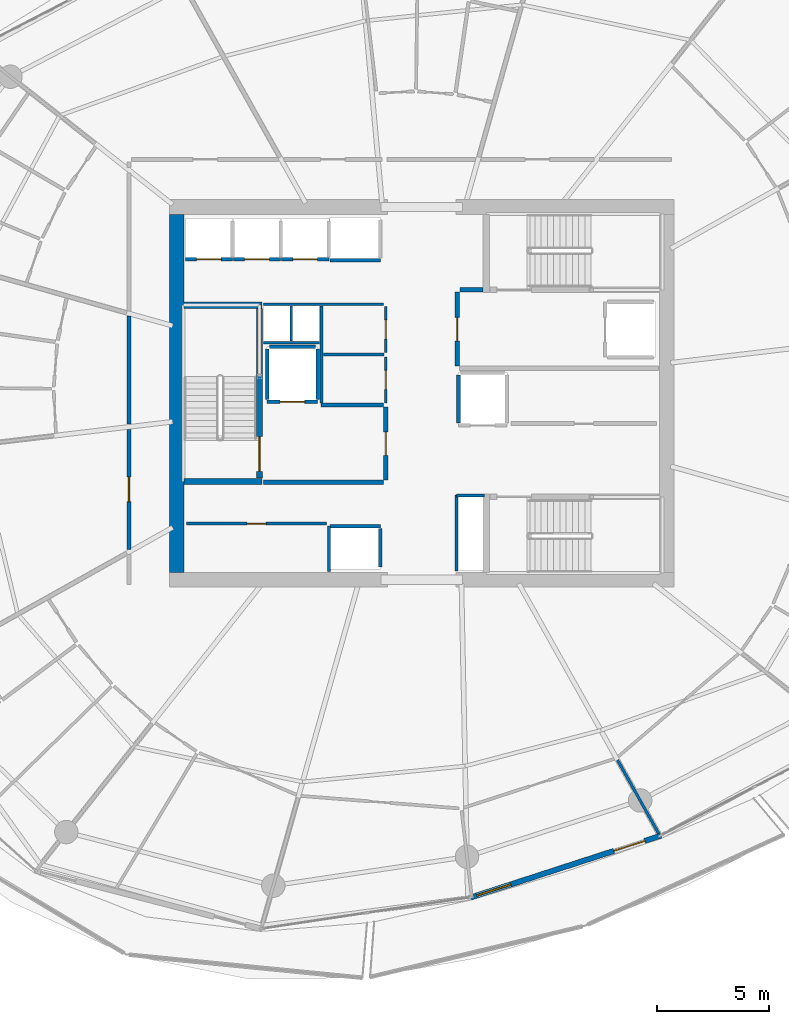
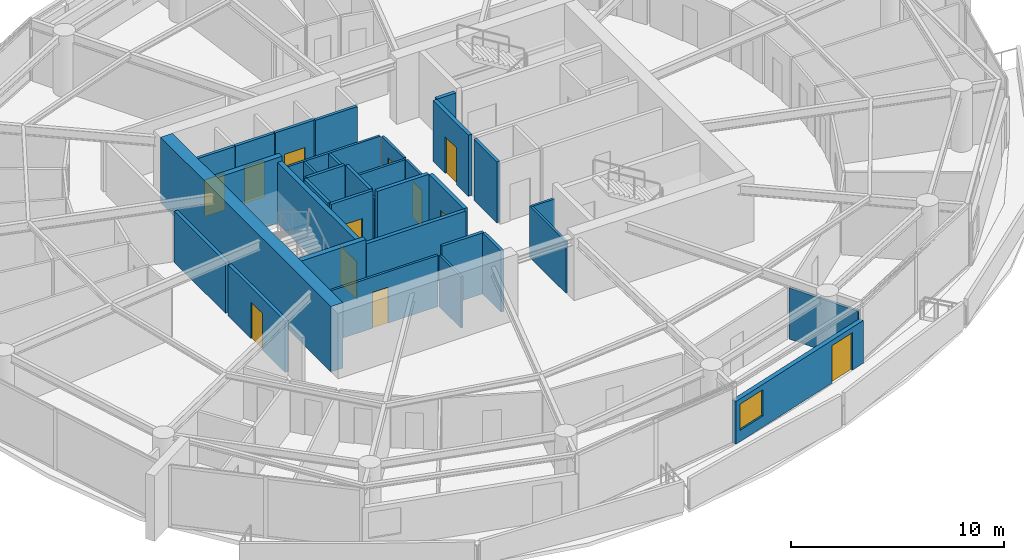
# One storey, part 11 of 19: 35 walls, 12 doors, 1 window, 13 openings.
"""IFC4 building model written with IfcOpenShell, lengths in metres."""

import ifcopenshell
import ifcopenshell.guid

model = None  # the IFC model being written
_history = None  # IfcOwnerHistory: only IFC2X3 demands one
_inside = {}  # id of a spatial element -> (the spatial element, [elements in it])
_under = {}  # id of a project, library or spatial element -> (it, [spatial elements below it])
_declared = {}  # id of a project -> (the project, [libraries it declares])
_typed = {}  # id of a type object -> (the type object, [elements of that type])
_made_of = {}  # id of a material, layer set ... -> (it, [elements and type objects made of it])


def new_model(schema):
    """Start an empty IFC model of exactly this schema.

    Asked for "IFC4X3", IfcOpenShell would pick the latest addendum, in which some entities
    have other attributes; the version numbers below select the first issue.
    IFC2X3 requires an IfcOwnerHistory on every rooted entity: one is made here for all.
    """
    global model, _history
    if schema == "IFC4X3":
        model = ifcopenshell.file(schema_version=(4, 3, 0, 0))
    else:
        model = ifcopenshell.file(schema=schema)
    _inside.clear()
    _under.clear()
    _declared.clear()
    _typed.clear()
    _made_of.clear()
    _history = None
    if model.schema == "IFC2X3":
        org = make("IfcOrganization", Name="unknown")
        user = make(
            "IfcPersonAndOrganization",
            ThePerson=make("IfcPerson", FamilyName="unknown"),
            TheOrganization=org,
        )
        app = make(
            "IfcApplication",
            ApplicationDeveloper=org,
            Version="unknown",
            ApplicationFullName="unknown",
            ApplicationIdentifier="unknown",
        )
        _history = make(
            "IfcOwnerHistory",
            OwningUser=user,
            OwningApplication=app,
            ChangeAction="ADDED",
            CreationDate=0,
        )
    return model


def make(cls, **values):
    """One entity of the class cls with the attributes given. An attribute that is None is left unset."""
    return model.create_entity(
        cls, **{name: value for name, value in values.items() if value is not None}
    )


def rooted(cls, **values):
    """An entity with a GlobalId (a new one), such as an element, a storey or a relation."""
    return make(cls, GlobalId=ifcopenshell.guid.new(), OwnerHistory=_history, **values)


def si_unit(unit_type, name, prefix=None):
    """IfcSIUnit, for example si_unit("LENGTHUNIT", "METRE", prefix="MILLI")."""
    return make("IfcSIUnit", UnitType=unit_type, Prefix=prefix, Name=name)


def assignment(units):
    """IfcUnitAssignment: the units of a project."""
    return None if units is None else make("IfcUnitAssignment", Units=units)


def point(xyz):
    """IfcCartesianPoint."""
    return None if xyz is None else make("IfcCartesianPoint", Coordinates=xyz)


def direction(xyz):
    """IfcDirection."""
    return None if xyz is None else make("IfcDirection", DirectionRatios=xyz)


def frame(location, z_axis=None, x_axis=None):
    """IfcAxis2Placement3D, a coordinate frame: its origin and axes. An axis left out is left unset."""
    return make(
        "IfcAxis2Placement3D",
        Location=point(location),
        Axis=direction(z_axis),
        RefDirection=direction(x_axis),
    )


def frame_2d(location, x_axis=None):
    """IfcAxis2Placement2D, a coordinate frame in the plane: its origin and x axis."""
    return make(
        "IfcAxis2Placement2D", Location=point(location), RefDirection=direction(x_axis)
    )


def origin():
    """The frame at (0, 0, 0) with its axes left unset."""
    return frame((0.0, 0.0, 0.0))


def place(relative_to, where):
    """IfcLocalPlacement: puts the frame where relative to a parent placement (None: the world)."""
    return make(
        "IfcLocalPlacement", PlacementRelTo=relative_to, RelativePlacement=where
    )


def context(
    kind, dimensions, precision=None, world=None, true_north=None, identifier=None
):
    """IfcGeometricRepresentationContext, for example the 3D "Model" context."""
    return make(
        "IfcGeometricRepresentationContext",
        ContextIdentifier=identifier,
        ContextType=kind,
        CoordinateSpaceDimension=dimensions,
        Precision=precision,
        WorldCoordinateSystem=world,
        TrueNorth=true_north,
    )


def subcontext(parent, identifier, kind, view, scale=None):
    """IfcGeometricRepresentationSubContext, for example "Body" below "Model"."""
    return make(
        "IfcGeometricRepresentationSubContext",
        ContextIdentifier=identifier,
        ContextType=kind,
        ParentContext=parent,
        TargetScale=scale,
        TargetView=view,
    )


def project(units=None, contexts=None):
    """IfcProject with its units and contexts."""
    return rooted(
        "IfcProject",
        Name="project",
        RepresentationContexts=contexts,
        UnitsInContext=assignment(units),
    )


def spatial(cls, under=None, at=None, **own):
    """A site, building, storey or space (cls), placed at a placement, below another one or the project."""
    s = rooted(cls, ObjectPlacement=at, **own)
    if under is not None:
        _under.setdefault(under.id(), (under, []))[1].append(s)
    return s


def profile(cls, at=None, kind="AREA", **sizes):
    """A parametric profile (cls). Its sizes go by their IFC names, for example OverallWidth=200.0."""
    return make(cls, ProfileType=kind, Position=at, **sizes)


def rectangle(**sizes):
    """IfcRectangleProfileDef."""
    return profile("IfcRectangleProfileDef", **sizes)


def extrude(swept, where, along, depth):
    """IfcExtrudedAreaSolid: the profile swept, set in the frame where, extruded along a direction by depth."""
    return make(
        "IfcExtrudedAreaSolid",
        SweptArea=swept,
        Position=where,
        ExtrudedDirection=direction(along),
        Depth=depth,
    )


def shape(context_of_items, identifier, shape_type, items):
    """IfcShapeRepresentation: the items that make up one representation, for example the "Body"."""
    return make(
        "IfcShapeRepresentation",
        ContextOfItems=context_of_items,
        RepresentationIdentifier=identifier,
        RepresentationType=shape_type,
        Items=items,
    )


def material(Name=None, Category=None):
    """IfcMaterial."""
    return make("IfcMaterial", Name=Name, Category=Category)


def layer(
    of_material, thickness, ventilated=None, Name=None, Category=None, Priority=None
):
    """IfcMaterialLayer: one layer of a wall or slab, of a material (None: an air gap)."""
    return make(
        "IfcMaterialLayer",
        Material=of_material,
        LayerThickness=thickness,
        IsVentilated=ventilated,
        Name=Name,
        Category=Category,
        Priority=Priority,
    )


def layer_set(layers, Name=None):
    """IfcMaterialLayerSet."""
    return make("IfcMaterialLayerSet", MaterialLayers=layers, LayerSetName=Name)


def made_of(thing, what):
    """Note that an element or type object is made of a material, layer set ...; save() writes the relation."""
    if what is not None:
        _made_of.setdefault(what.id(), (what, []))[1].append(thing)
    return thing


def type_object(cls, material=None, **own):
    """A type object (cls), such as IfcWallType, which elements share."""
    return made_of(rooted(cls, **own), material)


def element(
    cls,
    number,
    at=None,
    inside=None,
    cuts=None,
    type_object=None,
    material=None,
    context=None,
    identifier="Body",
    shape_type=None,
    held_by="IfcProductDefinitionShape",
    body=None,
    shapes=None,
    **own,
):
    """One element of the class cls, such as IfcWall. Its Tag is "e" and its number.

    at: its placement. inside: the storey or other place that contains it. cuts: it is an
    opening in that element (IfcRelVoidsElement). A single representation is given by context,
    identifier, shape_type and body (its items); several are given by shapes. held_by: the class
    of the entity that holds the representations. save() writes the other relations.
    """
    e = rooted(cls, Tag="e%d" % number, ObjectPlacement=at, **own)
    if body is not None:
        shapes = [shape(context, identifier, shape_type, body)]
    if shapes is not None:
        e.Representation = make(held_by, Representations=shapes)
    if inside is not None:
        _inside.setdefault(inside.id(), (inside, []))[1].append(e)
    if cuts is not None:
        rooted(
            "IfcRelVoidsElement", RelatingBuildingElement=cuts, RelatedOpeningElement=e
        )
    if type_object is not None:
        _typed.setdefault(type_object.id(), (type_object, []))[1].append(e)
    return made_of(e, material)


def fill(opening, filler):
    """IfcRelFillsElement: the door or window that sits in an opening."""
    return rooted(
        "IfcRelFillsElement",
        RelatingOpeningElement=opening,
        RelatedBuildingElement=filler,
    )


def aggregate(whole, parts):
    """IfcRelAggregates: a whole, such as a stair, and the parts it consists of."""
    return rooted("IfcRelAggregates", RelatingObject=whole, RelatedObjects=parts)


def save(model, path):
    """Write the relations noted so far, then the file.

    IfcRelAggregates (storeys below a building ...), IfcRelContainedInSpatialStructure (elements
    in a storey), IfcRelDefinesByType, IfcRelAssociatesMaterial and IfcRelDeclares: one each for
    every whole, place, type object, material and project.
    """
    for whole, parts in _under.values():
        aggregate(whole, parts)
    for where, things in _inside.values():
        rooted(
            "IfcRelContainedInSpatialStructure",
            RelatedElements=things,
            RelatingStructure=where,
        )
    for kind, things in _typed.values():
        rooted("IfcRelDefinesByType", RelatedObjects=things, RelatingType=kind)
    for what, things in _made_of.values():
        rooted("IfcRelAssociatesMaterial", RelatedObjects=things, RelatingMaterial=what)
    for by, libraries in _declared.values():
        rooted("IfcRelDeclares", RelatingContext=by, RelatedDefinitions=libraries)
    model.write(path)


model = new_model("IFC4")

# Units and contexts
model_context = context("Model", 3, precision=1e-05, world=origin(), true_north=direction((0.0, 1.0)))
body_context = subcontext(model_context, "Body", "Model", "MODEL_VIEW")
ifc_project = project(units=[si_unit("LENGTHUNIT", "METRE"), si_unit("AREAUNIT", "SQUARE_METRE"), si_unit("VOLUMEUNIT", "CUBIC_METRE"), si_unit("PLANEANGLEUNIT", "RADIAN"), si_unit("MASSUNIT", "GRAM", prefix="KILO")], contexts=[model_context])

# Site, building, storey
site_placement = place(None, origin())
site = spatial("IfcSite", under=ifc_project, at=site_placement, CompositionType="ELEMENT")
building_placement = place(site_placement, origin())
building = spatial("IfcBuilding", under=site, at=building_placement, Name="Kazma Halo Residences", CompositionType="ELEMENT")
storey_placement = place(building_placement, frame((0.0, 0.0, 199.050048828125)))
storey = spatial("IfcBuildingStorey", under=building, at=storey_placement, Name="L50", CompositionType="ELEMENT", Elevation=199.050048828125)

# Walls
ifc_material_1 = material(Name="Concrete C60/75", Category="concrete")
ifc_layer_1 = layer(ifc_material_1, 0.64990234375)
ifc_layer_set_1 = layer_set([ifc_layer_1], Name="Concrete C60/75")
wall_type_1 = type_object("IfcWallType", Name="WL-CORE-650", PredefinedType="SHEAR", material=ifc_layer_set_1)
wall_1_placement = place(storey_placement, frame((37.47509765625, 34.0, 0.0), z_axis=(0.0, 0.0, 1.0), x_axis=(0.0, 1.0, 0.0)))
element("IfcWall", 1, at=wall_1_placement, inside=storey, type_object=wall_type_1, Name="L50 central core shear wall W", PredefinedType="SHEAR", context=body_context, shape_type="SweptSolid", body=[
    extrude(rectangle(XDim=16.0, YDim=0.64990234375, at=frame_2d((8.0, 0.0))), origin(), (0.0, 0.0, 1.0), 3.75),
])
ifc_layer_2 = layer(ifc_material_1, 0.280029296875)
ifc_layer_set_2 = layer_set([ifc_layer_2], Name="Concrete C60/75")
wall_type_2 = type_object("IfcWallType", Name="WL-CORE-ST-280", PredefinedType="SHEAR", material=ifc_layer_set_2)
for number, where, z_axis, x_axis, name in (
    (2, (37.800048828125, 38.06005859375, 0.0), (0.0, 0.0, 1.0), (1.0, 0.0, 0.0), "L50 stairwell bearing wall ST01-S"),
    (3, (37.800048828125, 45.93994140625, 0.0), (0.0, 0.0, 1.0), (1.0, 0.0, 0.0), "L50 stairwell bearing wall ST01-N"),
):
    element("IfcWall", number, at=place(storey_placement, frame(where, z_axis=z_axis, x_axis=x_axis)), inside=storey, type_object=wall_type_2, Name=name, PredefinedType="SHEAR", context=body_context, shape_type="SweptSolid", body=[
        extrude(rectangle(XDim=3.5, YDim=0.280029296875, at=frame_2d((1.75, 0.0))), origin(), (0.0, 0.0, 1.0), 3.75),
    ])

# Wall, opening, door
ifc_material_2 = material(Name="Acoustic Twin-Stud Gypsum")
ifc_layer_3 = layer(ifc_material_2, 0.179931640625)
ifc_layer_set_3 = layer_set([ifc_layer_3], Name="Acoustic Twin-Stud Gypsum")
wall_type_3 = type_object("IfcWallType", Name="WL-DEM-180", PredefinedType="PARTITIONING", material=ifc_layer_set_3)
wall_2_placement = place(storey_placement, frame((35.35009765625, 40.3828125, 0.0), z_axis=(0.0, 0.0, 1.0), x_axis=(0.0, -1.0, 0.0)))
wall_2 = element("IfcWall", 4, at=wall_2_placement, inside=storey, type_object=wall_type_3, Name="L50 Apartment 3 entrance corridor wall", PredefinedType="PARTITIONING", context=body_context, shape_type="SweptSolid", body=[
    extrude(rectangle(XDim=5.34716796875, YDim=0.179931640625, at=frame_2d((2.673583984375, 0.0))), origin(), (0.0, 0.0, 1.0), 2.93994140625),
])
opening_1_placement = place(wall_2_placement, frame((2.12353515625, 0.0, 0.0)))
opening_1 = element("IfcOpeningElement", 5, at=opening_1_placement, cuts=wall_2, Name="Opening DA-1100", PredefinedType="OPENING", context=body_context, shape_type="SweptSolid", body=[
    extrude(rectangle(XDim=1.10009765625, YDim=2.10009765625, at=frame_2d((0.550048828125, 1.050048828125))), frame((0.0, 0.099853515625, 0.0), z_axis=(0.0, -1.0, 0.0), x_axis=(1.0, 0.0, 0.0)), (0.0, 0.0, 1.0), 0.199951171875),
])
ifc_material_3 = material(Name="Acoustic Walnut Fire Leaf")
door_type_1 = type_object("IfcDoorType", Name="DR-FD60-1100", OperationType="NOTDEFINED", PredefinedType="DOOR", material=ifc_material_3)
door_1_placement = place(opening_1_placement, origin())
door_1 = element("IfcDoor", 6, at=door_1_placement, inside=storey, type_object=door_type_1, Name="L50 Apartment 3 entrance fire door", OperationType="SINGLE_SWING_RIGHT", OverallHeight=2.10009765625, OverallWidth=1.10009765625, PredefinedType="DOOR", context=body_context, shape_type="SweptSolid", body=[
    extrude(rectangle(XDim=1.10009765625, YDim=2.10009765625, at=frame_2d((0.550048828125, 1.050048828125))), frame((0.0, 0.02490234375, 0.0), z_axis=(0.0, -1.0, 0.0), x_axis=(1.0, 0.0, 0.0)), (0.0, 0.0, 1.0), 0.050048828125),
])
fill(opening_1, door_1)

# Wall
wall_3_placement = place(storey_placement, frame((35.35009765625, 45.44775390625, 0.0), z_axis=(0.0, 0.0, 1.0), x_axis=(0.0, -1.0, 0.0)))
element("IfcWall", 7, at=wall_3_placement, inside=storey, type_object=wall_type_3, Name="L50 Apartment 3 inner wall 6", PredefinedType="PARTITIONING", context=body_context, shape_type="SweptSolid", body=[
    extrude(rectangle(XDim=4.824951171875, YDim=0.179931640625, at=frame_2d((2.41259765625, 0.0))), origin(), (0.0, 0.0, 1.0), 2.93994140625),
])

# Wall, openings, door, window
ifc_material_4 = material(Name="Insulated Pale-Metal Composite Wall")
ifc_layer_4 = layer(ifc_material_4, 0.239990234375)
ifc_layer_set_4 = layer_set([ifc_layer_4], Name="Insulated Pale-Metal Composite Wall")
wall_type_4 = type_object("IfcWallType", Name="WL-EXT-HOST-240", PredefinedType="SOLIDWALL", material=ifc_layer_set_4)
wall_4_placement = place(storey_placement, frame((50.61572265625, 19.481201171875, 0.0), z_axis=(0.0, 0.0, 1.0), x_axis=(0.951058543936, 0.309010753869, 0.0)))
wall_4 = element("IfcWall", 8, at=wall_4_placement, inside=storey, type_object=wall_type_4, Name="L50 exterior terrace-access wall B12", PredefinedType="SOLIDWALL", context=body_context, shape_type="SweptSolid", body=[
    extrude(rectangle(XDim=8.942138671875, YDim=0.239990234375, at=frame_2d((4.47119140625, 0.0))), origin(), (0.0, 0.0, 1.0), 2.449951171875),
])
opening_2_placement = place(wall_4_placement, frame((6.721923828125, 0.0, 0.0)))
opening_2 = element("IfcOpeningElement", 9, at=opening_2_placement, cuts=wall_4, Name="Opening DTR-1600", PredefinedType="OPENING", context=body_context, shape_type="SweptSolid", body=[
    extrude(rectangle(XDim=1.449951171875, YDim=2.14990234375, at=frame_2d((0.72509765625, 1.074951171875))), frame((0.0, 0.1298828125, 0.0), z_axis=(0.0, -1.0, 0.0), x_axis=(1.0, 0.0, 0.0)), (0.0, 0.0, 1.0), 0.260009765625),
])
opening_3_placement = place(wall_4_placement, frame((0.280029296875, 0.0, 0.64990234375)))
opening_3 = element("IfcOpeningElement", 10, at=opening_3_placement, cuts=wall_4, Name="Opening W-1800", PredefinedType="OPENING", context=body_context, shape_type="SweptSolid", body=[
    extrude(rectangle(XDim=1.60009765625, YDim=1.5, at=frame_2d((0.800048828125, 0.75))), frame((0.0, 0.1298828125, 0.0), z_axis=(0.0, -1.0, 0.0), x_axis=(1.0, 0.0, 0.0)), (0.0, 0.0, 1.0), 0.260009765625),
])
ifc_material_5 = material(Name="Aluminium AW-6063 T6 Double-Glazed Terrace Door", Category="aluminium")
door_type_2 = type_object("IfcDoorType", Name="DR-EXT-TERR-1600", OperationType="NOTDEFINED", PredefinedType="DOOR", material=ifc_material_5)
door_2_placement = place(opening_2_placement, origin())
door_2 = element("IfcDoor", 11, at=door_2_placement, inside=storey, type_object=door_type_2, Name="L50 B12 balcony terrace door", OperationType="DOUBLE_DOOR_SLIDING", OverallHeight=2.14990234375, OverallWidth=1.449951171875, PredefinedType="DOOR", context=body_context, shape_type="SweptSolid", body=[
    extrude(rectangle(XDim=1.449951171875, YDim=2.14990234375, at=frame_2d((0.72509765625, 1.074951171875))), frame((0.0, 0.02490234375, 0.0), z_axis=(0.0, -1.0, 0.0), x_axis=(1.0, 0.0, 0.0)), (0.0, 0.0, 1.0), 0.050048828125),
])
fill(opening_2, door_2)
ifc_material_6 = material(Name="Clear Triple-Silver Low-E Glass in Aluminium AW-6063 T6 Frame", Category="aluminium")
window_type = type_object("IfcWindowType", Name="WIN-RES-1800", PartitioningType="DOUBLE_PANEL_VERTICAL", PredefinedType="WINDOW", material=ifc_material_6)
window_placement = place(opening_3_placement, origin())
window = element("IfcWindow", 12, at=window_placement, inside=storey, type_object=window_type, Name="L50 B12 apartment window", OverallHeight=1.5, OverallWidth=1.60009765625, PartitioningType="SINGLE_PANEL", PredefinedType="WINDOW", context=body_context, shape_type="SweptSolid", body=[
    extrude(rectangle(XDim=1.60009765625, YDim=1.5, at=frame_2d((0.800048828125, 0.75))), frame((0.0, 0.030029296875, 0.0), z_axis=(0.0, -1.0, 0.0), x_axis=(1.0, 0.0, 0.0)), (0.0, 0.0, 1.0), 0.06005859375),
])
fill(opening_3, window)

# Wall, opening, door
ifc_material_7 = material(Name="Fire-Rated Blockwork Masonry", Category="masonry")
ifc_layer_5 = layer(ifc_material_7, 0.199951171875)
ifc_layer_set_5 = layer_set([ifc_layer_5], Name="Fire-Rated Blockwork Masonry")
wall_type_5 = type_object("IfcWallType", Name="WL-FLB-200", PredefinedType="PARTITIONING", material=ifc_layer_set_5)
wall_5_placement = place(storey_placement, frame((39.97509765625, 47.9951171875, 0.0), z_axis=(0.0, 0.0, 1.0), x_axis=(-1.0, 0.0, 0.0)))
wall_5 = element("IfcWall", 13, at=wall_5_placement, inside=storey, type_object=wall_type_5, Name="L50 lift shaft PM-01 front wall", PredefinedType="PARTITIONING", context=body_context, shape_type="SweptSolid", body=[
    extrude(rectangle(XDim=2.110107421875, YDim=0.159912109375, at=frame_2d((1.05517578125, 0.0))), origin(), (0.0, 0.0, 1.0), 3.5),
])
opening_4_placement = place(wall_5_placement, frame((0.5048828125, 0.0, 0.0)))
opening_4 = element("IfcOpeningElement", 14, at=opening_4_placement, cuts=wall_5, Name="Opening LD-PM-01", PredefinedType="OPENING", context=body_context, shape_type="SweptSolid", body=[
    extrude(rectangle(XDim=1.10009765625, YDim=2.10009765625, at=frame_2d((0.550048828125, 1.050048828125))), frame((0.0, 0.08984375, 0.0), z_axis=(0.0, -1.0, 0.0), x_axis=(1.0, 0.0, 0.0)), (0.0, 0.0, 1.0), 0.179931640625),
])
ifc_material_8 = material(Name="Stainless Steel Fire-Rated", Category="steel")
door_type_3 = type_object("IfcDoorType", Name="DR-LIFT-SLD-1100", OperationType="DOUBLE_DOOR_SLIDING", PredefinedType="DOOR", material=ifc_material_8)
door_3_placement = place(opening_4_placement, origin())
door_3 = element("IfcDoor", 15, at=door_3_placement, inside=storey, type_object=door_type_3, Name="L50 lift PM-01 sliding landing door", OperationType="DOUBLE_DOOR_SLIDING", OverallHeight=2.10009765625, OverallWidth=1.10009765625, PredefinedType="DOOR", context=body_context, shape_type="SweptSolid", body=[
    extrude(rectangle(XDim=1.10009765625, YDim=2.10009765625, at=frame_2d((0.550048828125, 1.050048828125))), frame((0.0, 0.02490234375, 0.0), z_axis=(0.0, -1.0, 0.0), x_axis=(1.0, 0.0, 0.0)), (0.0, 0.0, 1.0), 0.050048828125),
])
fill(opening_4, door_3)

wall_6_placement = place(storey_placement, frame((42.125, 47.9951171875, 0.0), z_axis=(0.0, 0.0, 1.0), x_axis=(-1.0, 0.0, 0.0)))
wall_6 = element("IfcWall", 16, at=wall_6_placement, inside=storey, type_object=wall_type_5, Name="L50 lift shaft PM-02 front wall", PredefinedType="PARTITIONING", context=body_context, shape_type="SweptSolid", body=[
    extrude(rectangle(XDim=2.110107421875, YDim=0.159912109375, at=frame_2d((1.05517578125, 0.0))), origin(), (0.0, 0.0, 1.0), 3.5),
])
opening_5_placement = place(wall_6_placement, frame((0.5048828125, 0.0, 0.0)))
opening_5 = element("IfcOpeningElement", 17, at=opening_5_placement, cuts=wall_6, Name="Opening LD-PM-02", PredefinedType="OPENING", context=body_context, shape_type="SweptSolid", body=[
    extrude(rectangle(XDim=1.10009765625, YDim=2.10009765625, at=frame_2d((0.550048828125, 1.050048828125))), frame((0.0, 0.08984375, 0.0), z_axis=(0.0, -1.0, 0.0), x_axis=(1.0, 0.0, 0.0)), (0.0, 0.0, 1.0), 0.179931640625),
])
door_4_placement = place(opening_5_placement, origin())
door_4 = element("IfcDoor", 18, at=door_4_placement, inside=storey, type_object=door_type_3, Name="L50 lift PM-02 sliding landing door", OperationType="DOUBLE_DOOR_SLIDING", OverallHeight=2.10009765625, OverallWidth=1.10009765625, PredefinedType="DOOR", context=body_context, shape_type="SweptSolid", body=[
    extrude(rectangle(XDim=1.10009765625, YDim=2.10009765625, at=frame_2d((0.550048828125, 1.050048828125))), frame((0.0, 0.02490234375, 0.0), z_axis=(0.0, -1.0, 0.0), x_axis=(1.0, 0.0, 0.0)), (0.0, 0.0, 1.0), 0.050048828125),
])
fill(opening_5, door_4)

wall_7_placement = place(storey_placement, frame((44.27490234375, 47.9951171875, 0.0), z_axis=(0.0, 0.0, 1.0), x_axis=(-1.0, 0.0, 0.0)))
wall_7 = element("IfcWall", 19, at=wall_7_placement, inside=storey, type_object=wall_type_5, Name="L50 lift shaft PM-03 front wall", PredefinedType="PARTITIONING", context=body_context, shape_type="SweptSolid", body=[
    extrude(rectangle(XDim=2.10986328125, YDim=0.159912109375, at=frame_2d((1.054931640625, 0.0))), origin(), (0.0, 0.0, 1.0), 3.5),
])
opening_6_placement = place(wall_7_placement, frame((0.5048828125, 0.0, 0.0)))
opening_6 = element("IfcOpeningElement", 20, at=opening_6_placement, cuts=wall_7, Name="Opening LD-PM-03", PredefinedType="OPENING", context=body_context, shape_type="SweptSolid", body=[
    extrude(rectangle(XDim=1.10009765625, YDim=2.10009765625, at=frame_2d((0.550048828125, 1.050048828125))), frame((0.0, 0.08984375, 0.0), z_axis=(0.0, -1.0, 0.0), x_axis=(1.0, 0.0, 0.0)), (0.0, 0.0, 1.0), 0.179931640625),
])
door_5_placement = place(opening_6_placement, origin())
door_5 = element("IfcDoor", 21, at=door_5_placement, inside=storey, type_object=door_type_3, Name="L50 lift PM-03 sliding landing door", OperationType="DOUBLE_DOOR_SLIDING", OverallHeight=2.10009765625, OverallWidth=1.10009765625, PredefinedType="DOOR", context=body_context, shape_type="SweptSolid", body=[
    extrude(rectangle(XDim=1.10009765625, YDim=2.10009765625, at=frame_2d((0.550048828125, 1.050048828125))), frame((0.0, 0.02490234375, 0.0), z_axis=(0.0, -1.0, 0.0), x_axis=(1.0, 0.0, 0.0)), (0.0, 0.0, 1.0), 0.050048828125),
])
fill(opening_6, door_5)

# Walls
for number, where, z_axis, x_axis, name in (
    (22, (46.580078125, 47.945068359375, 0.0), (0.0, 0.0, 1.0), (-1.0, 0.0, 0.0), "L50 lift shaft PX-01 front wall"),
    (23, (44.320068359375, 36.054931640625, 0.0), (0.0, 0.0, 1.0), (1.0, 0.0, 0.0), "L50 lift shaft PX-02 front wall"),
):
    element("IfcWall", number, at=place(storey_placement, frame(where, z_axis=z_axis, x_axis=x_axis)), inside=storey, type_object=wall_type_5, Name=name, PredefinedType="PARTITIONING", context=body_context, shape_type="SweptSolid", body=[
        extrude(rectangle(XDim=2.260009765625, YDim=0.159912109375, at=frame_2d((1.1298828125, 0.0))), origin(), (0.0, 0.0, 1.0), 3.5),
    ])
wall_8_placement = place(storey_placement, frame((46.580078125, 34.2451171875, 0.0), z_axis=(0.0, 0.0, 1.0), x_axis=(0.0, 1.0, 0.0)))
element("IfcWall", 24, at=wall_8_placement, inside=storey, type_object=wall_type_5, Name="L50 lift shaft PX-02 side wall E", PredefinedType="PARTITIONING", context=body_context, shape_type="SweptSolid", body=[
    extrude(rectangle(XDim=1.7099609375, YDim=0.159912109375, at=frame_2d((0.85498046875, 0.0))), origin(), (0.0, 0.0, 1.0), 3.5),
])

# Wall, opening, door
wall_9_placement = place(storey_placement, frame((43.780029296875, 41.6201171875, 0.0), z_axis=(0.0, 0.0, 1.0), x_axis=(-1.0, 0.0, 0.0)))
wall_9 = element("IfcWall", 25, at=wall_9_placement, inside=storey, type_object=wall_type_5, Name="L50 lift shaft FL-01 front wall", PredefinedType="PARTITIONING", context=body_context, shape_type="SweptSolid", body=[
    extrude(rectangle(XDim=2.260009765625, YDim=0.159912109375, at=frame_2d((1.1298828125, 0.0))), origin(), (0.0, 0.0, 1.0), 3.5),
])
opening_7_placement = place(wall_9_placement, frame((0.580078125, 0.0, 0.0)))
opening_7 = element("IfcOpeningElement", 26, at=opening_7_placement, cuts=wall_9, Name="Opening LD-FL-01", PredefinedType="OPENING", context=body_context, shape_type="SweptSolid", body=[
    extrude(rectangle(XDim=1.10009765625, YDim=2.10009765625, at=frame_2d((0.550048828125, 1.050048828125))), frame((0.0, 0.08984375, 0.0), z_axis=(0.0, -1.0, 0.0), x_axis=(1.0, 0.0, 0.0)), (0.0, 0.0, 1.0), 0.179931640625),
])
door_6_placement = place(opening_7_placement, origin())
door_6 = element("IfcDoor", 27, at=door_6_placement, inside=storey, type_object=door_type_3, Name="L50 lift FL-01 sliding landing door", OperationType="DOUBLE_DOOR_SLIDING", OverallHeight=2.10009765625, OverallWidth=1.10009765625, PredefinedType="DOOR", context=body_context, shape_type="SweptSolid", body=[
    extrude(rectangle(XDim=1.10009765625, YDim=2.10009765625, at=frame_2d((0.550048828125, 1.050048828125))), frame((0.0, 0.02490234375, 0.0), z_axis=(0.0, -1.0, 0.0), x_axis=(1.0, 0.0, 0.0)), (0.0, 0.0, 1.0), 0.050048828125),
])
fill(opening_7, door_6)

# Walls
for number, where, z_axis, x_axis, name in (
    (28, (43.780029296875, 41.719970703125, 0.0), (0.0, 0.0, 1.0), (0.0, 1.0, 0.0), "L50 lift shaft FL-01 side wall E"),
    (29, (41.52001953125, 41.719970703125, 0.0), (0.0, 0.0, 1.0), (0.0, 1.0, 0.0), "L50 lift shaft FL-01 side wall W"),
):
    element("IfcWall", number, at=place(storey_placement, frame(where, z_axis=z_axis, x_axis=x_axis)), inside=storey, type_object=wall_type_5, Name=name, PredefinedType="PARTITIONING", context=body_context, shape_type="SweptSolid", body=[
        extrude(rectangle(XDim=2.260009765625, YDim=0.159912109375, at=frame_2d((1.1298828125, 0.0))), origin(), (0.0, 0.0, 1.0), 3.5),
    ])
wall_10_placement = place(storey_placement, frame((41.6201171875, 44.080078125, 0.0), z_axis=(0.0, 0.0, 1.0), x_axis=(1.0, 0.0, 0.0)))
element("IfcWall", 30, at=wall_10_placement, inside=storey, type_object=wall_type_5, Name="L50 lift shaft FL-01 side wall N", PredefinedType="PARTITIONING", context=body_context, shape_type="SweptSolid", body=[
    extrude(rectangle(XDim=2.059814453125, YDim=0.159912109375, at=frame_2d((1.02978515625, 0.0))), origin(), (0.0, 0.0, 1.0), 3.5),
])
wall_11_placement = place(storey_placement, frame((50.070068359375, 40.669921875, 0.0), z_axis=(0.0, 0.0, 1.0), x_axis=(0.0, 1.0, 0.0)))
element("IfcWall", 31, at=wall_11_placement, inside=storey, type_object=wall_type_5, Name="L50 lift shaft SV-01 side wall W", PredefinedType="PARTITIONING", context=body_context, shape_type="SweptSolid", body=[
    extrude(rectangle(XDim=2.16015625, YDim=0.159912109375, at=frame_2d((1.080078125, 0.0))), origin(), (0.0, 0.0, 1.0), 3.5),
])
wall_12_placement = place(storey_placement, frame((41.35009765625, 38.02001953125, 0.0), z_axis=(0.0, 0.0, 1.0), x_axis=(1.0, 0.0, 0.0)))
element("IfcWall", 32, at=wall_12_placement, inside=storey, type_object=wall_type_5, Name="L50 west firefighting lobby south smoke wall", PredefinedType="PARTITIONING", context=body_context, shape_type="SweptSolid", body=[
    extrude(rectangle(XDim=5.369873046875, YDim=0.199951171875, at=frame_2d((2.68505859375, 0.0))), origin(), (0.0, 0.0, 1.0), 3.5),
])
wall_13_placement = place(storey_placement, frame((43.919921875, 41.47998046875, 0.0), z_axis=(0.0, 0.0, 1.0), x_axis=(1.0, 0.0, 0.0)))
element("IfcWall", 33, at=wall_13_placement, inside=storey, type_object=wall_type_5, Name="L50 west firefighting lobby north smoke wall", PredefinedType="PARTITIONING", context=body_context, shape_type="SweptSolid", body=[
    extrude(rectangle(XDim=2.800048828125, YDim=0.199951171875, at=frame_2d((1.39990234375, 0.0))), origin(), (0.0, 0.0, 1.0), 3.5),
])

# Wall, opening, door
wall_14_placement = place(storey_placement, frame((46.820068359375, 38.1201171875, 0.0), z_axis=(0.0, 0.0, 1.0), x_axis=(0.0, 1.0, 0.0)))
wall_14 = element("IfcWall", 34, at=wall_14_placement, inside=storey, type_object=wall_type_5, Name="L50 west firefighting lobby smoke wall", PredefinedType="PARTITIONING", context=body_context, shape_type="SweptSolid", body=[
    extrude(rectangle(XDim=3.259765625, YDim=0.199951171875, at=frame_2d((1.6298828125, 0.0))), origin(), (0.0, 0.0, 1.0), 3.5),
])
opening_8_placement = place(wall_14_placement, frame((1.10498046875, 0.0, 0.0)))
opening_8 = element("IfcOpeningElement", 35, at=opening_8_placement, cuts=wall_14, Name="Opening D-FLW", PredefinedType="OPENING", context=body_context, shape_type="SweptSolid", body=[
    extrude(rectangle(XDim=1.050048828125, YDim=2.10009765625, at=frame_2d((0.52490234375, 1.050048828125))), frame((0.0, 0.10986328125, 0.0), z_axis=(0.0, -1.0, 0.0), x_axis=(1.0, 0.0, 0.0)), (0.0, 0.0, 1.0), 0.219970703125),
])
ifc_material_9 = material(Name="Fire-Rated Steel Leaf", Category="steel")
door_type_4 = type_object("IfcDoorType", Name="DR-FD90-1050", OperationType="NOTDEFINED", PredefinedType="DOOR", material=ifc_material_9)
door_7_placement = place(opening_8_placement, origin())
door_7 = element("IfcDoor", 36, at=door_7_placement, inside=storey, type_object=door_type_4, Name="L50 west firefighting lobby smoke door", OperationType="SINGLE_SWING_LEFT", OverallHeight=2.10009765625, OverallWidth=1.050048828125, PredefinedType="DOOR", context=body_context, shape_type="SweptSolid", body=[
    extrude(rectangle(XDim=1.050048828125, YDim=2.10009765625, at=frame_2d((0.52490234375, 1.050048828125))), frame((0.0, 0.02490234375, 0.0), z_axis=(0.0, -1.0, 0.0), x_axis=(1.0, 0.0, 0.0)), (0.0, 0.0, 1.0), 0.050048828125),
])
fill(opening_8, door_7)

# Wall
wall_15_placement = place(storey_placement, frame((50.139892578125, 46.6201171875, 0.0), z_axis=(0.0, 0.0, 1.0), x_axis=(1.0, 0.0, 0.0)))
element("IfcWall", 37, at=wall_15_placement, inside=storey, type_object=wall_type_5, Name="L50 east firefighting lobby north closure wall", PredefinedType="PARTITIONING", context=body_context, shape_type="SweptSolid", body=[
    extrude(rectangle(XDim=1.02001953125, YDim=0.199951171875, at=frame_2d((0.510009765625, 0.0))), origin(), (0.0, 0.0, 1.0), 3.5),
])

# Wall, opening, door
wall_16_placement = place(storey_placement, frame((50.02001953125, 43.219970703125, 0.0), z_axis=(0.0, 0.0, 1.0), x_axis=(0.0, 1.0, 0.0)))
wall_16 = element("IfcWall", 38, at=wall_16_placement, inside=storey, type_object=wall_type_5, Name="L50 east firefighting lobby smoke wall", PredefinedType="PARTITIONING", context=body_context, shape_type="SweptSolid", body=[
    extrude(rectangle(XDim=3.300048828125, YDim=0.199951171875, at=frame_2d((1.64990234375, 0.0))), origin(), (0.0, 0.0, 1.0), 3.5),
])
opening_9_placement = place(wall_16_placement, frame((1.125, 0.0, 0.0)))
opening_9 = element("IfcOpeningElement", 39, at=opening_9_placement, cuts=wall_16, Name="Opening D-FLE", PredefinedType="OPENING", context=body_context, shape_type="SweptSolid", body=[
    extrude(rectangle(XDim=1.050048828125, YDim=2.10009765625, at=frame_2d((0.52490234375, 1.050048828125))), frame((0.0, 0.10986328125, 0.0), z_axis=(0.0, -1.0, 0.0), x_axis=(1.0, 0.0, 0.0)), (0.0, 0.0, 1.0), 0.219970703125),
])
door_8_placement = place(opening_9_placement, origin())
door_8 = element("IfcDoor", 40, at=door_8_placement, inside=storey, type_object=door_type_4, Name="L50 east firefighting lobby smoke door", OperationType="SINGLE_SWING_RIGHT", OverallHeight=2.10009765625, OverallWidth=1.050048828125, PredefinedType="DOOR", context=body_context, shape_type="SweptSolid", body=[
    extrude(rectangle(XDim=1.050048828125, YDim=2.10009765625, at=frame_2d((0.52490234375, 1.050048828125))), frame((0.0, 0.02490234375, 0.0), z_axis=(0.0, -1.0, 0.0), x_axis=(1.0, 0.0, 0.0)), (0.0, 0.0, 1.0), 0.050048828125),
])
fill(opening_9, door_8)

# Wall
ifc_material_10 = material(Name="Gypsum Plasterboard Partition")
ifc_layer_6 = layer(ifc_material_10, 0.125)
ifc_layer_set_6 = layer_set([ifc_layer_6], Name="Gypsum Plasterboard Partition")
wall_type_6 = type_object("IfcWallType", Name="WL-PART-125", PredefinedType="PARTITIONING", material=ifc_layer_set_6)
wall_17_placement = place(storey_placement, frame((44.280029296875, 34.050048828125, 0.0), z_axis=(0.0, 0.0, 1.0), x_axis=(0.0, 1.0, 0.0)))
element("IfcWall", 41, at=wall_17_placement, inside=storey, type_object=wall_type_6, Name="L50 reclaimed south east wall", PredefinedType="PARTITIONING", context=body_context, shape_type="SweptSolid", body=[
    extrude(rectangle(XDim=2.030029296875, YDim=0.125, at=frame_2d((1.01513671875, 0.0))), origin(), (0.0, 0.0, 1.0), 2.93994140625),
])

# Wall, opening, door
wall_18_placement = place(storey_placement, frame((37.919921875, 36.179931640625, 0.0), z_axis=(0.0, 0.0, 1.0), x_axis=(1.0, 0.0, 0.0)))
wall_18 = element("IfcWall", 42, at=wall_18_placement, inside=storey, type_object=wall_type_6, Name="L50 reclaimed south front wall", PredefinedType="PARTITIONING", context=body_context, shape_type="SweptSolid", body=[
    extrude(rectangle(XDim=6.260009765625, YDim=0.125, at=frame_2d((3.1298828125, 0.0))), origin(), (0.0, 0.0, 1.0), 2.93994140625),
])
opening_10_placement = place(wall_18_placement, frame((2.705078125, 0.0, 0.0)))
opening_10 = element("IfcOpeningElement", 43, at=opening_10_placement, cuts=wall_18, Name="Opening DS-850", PredefinedType="OPENING", context=body_context, shape_type="SweptSolid", body=[
    extrude(rectangle(XDim=0.85009765625, YDim=2.06005859375, at=frame_2d((0.425048828125, 1.030029296875))), frame((0.0, 0.072509765625, 0.0), z_axis=(0.0, -1.0, 0.0), x_axis=(1.0, 0.0, 0.0)), (0.0, 0.0, 1.0), 0.14501953125),
])
ifc_material_11 = material(Name="Painted Steel Access Leaf", Category="steel")
door_type_5 = type_object("IfcDoorType", Name="DR-SVC-850", OperationType="NOTDEFINED", PredefinedType="DOOR", material=ifc_material_11)
door_9_placement = place(opening_10_placement, origin())
door_9 = element("IfcDoor", 44, at=door_9_placement, inside=storey, type_object=door_type_5, Name="L50 reclaimed south service door", OperationType="SINGLE_SWING_LEFT", OverallHeight=2.06005859375, OverallWidth=0.85009765625, PredefinedType="DOOR", context=body_context, shape_type="SweptSolid", body=[
    extrude(rectangle(XDim=0.85009765625, YDim=2.06005859375, at=frame_2d((0.425048828125, 1.030029296875))), frame((0.0, 0.02490234375, 0.0), z_axis=(0.0, -1.0, 0.0), x_axis=(1.0, 0.0, 0.0)), (0.0, 0.0, 1.0), 0.050048828125),
])
fill(opening_10, door_9)

# Walls
wall_19_placement = place(storey_placement, frame((41.360107421875, 45.97998046875, 0.0), z_axis=(0.0, 0.0, 1.0), x_axis=(1.0, 0.0, 0.0)))
element("IfcWall", 45, at=wall_19_placement, inside=storey, type_object=wall_type_6, Name="L50 core north riser wall", PredefinedType="PARTITIONING", context=body_context, shape_type="SweptSolid", body=[
    extrude(rectangle(XDim=5.35986328125, YDim=0.125, at=frame_2d((2.679931640625, 0.0))), origin(), (0.0, 0.0, 1.0), 2.93994140625),
])
wall_20_placement = place(storey_placement, frame((41.360107421875, 44.260009765625, 0.0), z_axis=(0.0, 0.0, 1.0), x_axis=(1.0, 0.0, 0.0)))
element("IfcWall", 46, at=wall_20_placement, inside=storey, type_object=wall_type_6, Name="L50 core riser south wall", PredefinedType="PARTITIONING", context=body_context, shape_type="SweptSolid", body=[
    extrude(rectangle(XDim=2.5, YDim=0.125, at=frame_2d((1.25, 0.0))), origin(), (0.0, 0.0, 1.0), 2.93994140625),
])
wall_21_placement = place(storey_placement, frame((42.60009765625, 44.35009765625, 0.0), z_axis=(0.0, 0.0, 1.0), x_axis=(0.0, 1.0, 0.0)))
element("IfcWall", 47, at=wall_21_placement, inside=storey, type_object=wall_type_6, Name="L50 core riser divider wall", PredefinedType="PARTITIONING", context=body_context, shape_type="SweptSolid", body=[
    extrude(rectangle(XDim=1.5498046875, YDim=0.125, at=frame_2d((0.77490234375, 0.0))), origin(), (0.0, 0.0, 1.0), 2.93994140625),
])
wall_22_placement = place(storey_placement, frame((49.97998046875, 34.06005859375, 0.0), z_axis=(0.0, 0.0, 1.0), x_axis=(0.0, 1.0, 0.0)))
element("IfcWall", 48, at=wall_22_placement, inside=storey, type_object=wall_type_6, Name="L50 standpipe riser wall", PredefinedType="PARTITIONING", context=body_context, shape_type="SweptSolid", body=[
    extrude(rectangle(XDim=3.39990234375, YDim=0.125, at=frame_2d((1.699951171875, 0.0))), origin(), (0.0, 0.0, 1.0), 2.93994140625),
])
wall_23_placement = place(storey_placement, frame((49.97998046875, 37.43994140625, 0.0), z_axis=(0.0, 0.0, 1.0), x_axis=(1.0, 0.0, 0.0)))
element("IfcWall", 49, at=wall_23_placement, inside=storey, type_object=wall_type_6, Name="L50 standpipe riser north wall", PredefinedType="PARTITIONING", context=body_context, shape_type="SweptSolid", body=[
    extrude(rectangle(XDim=1.260009765625, YDim=0.125, at=frame_2d((0.6298828125, 0.0))), origin(), (0.0, 0.0, 1.0), 2.93994140625),
])
wall_24_placement = place(storey_placement, frame((43.949951171875, 41.580078125, 0.0), z_axis=(0.0, 0.0, 1.0), x_axis=(0.0, 1.0, 0.0)))
element("IfcWall", 50, at=wall_24_placement, inside=storey, type_object=wall_type_6, Name="L50 core service west wall", PredefinedType="PARTITIONING", context=body_context, shape_type="SweptSolid", body=[
    extrude(rectangle(XDim=4.31982421875, YDim=0.125, at=frame_2d((2.159912109375, 0.0))), origin(), (0.0, 0.0, 1.0), 2.93994140625),
])
wall_25_placement = place(storey_placement, frame((44.030029296875, 43.72998046875, 0.0), z_axis=(0.0, 0.0, 1.0), x_axis=(1.0, 0.0, 0.0)))
element("IfcWall", 51, at=wall_25_placement, inside=storey, type_object=wall_type_6, Name="L50 switch/IDF divider", PredefinedType="PARTITIONING", context=body_context, shape_type="SweptSolid", body=[
    extrude(rectangle(XDim=2.7099609375, YDim=0.125, at=frame_2d((1.35498046875, 0.0))), origin(), (0.0, 0.0, 1.0), 2.93994140625),
])

# Wall, opening, door
wall_26_placement = place(storey_placement, frame((46.820068359375, 41.580078125, 0.0), z_axis=(0.0, 0.0, 1.0), x_axis=(0.0, 1.0, 0.0)))
wall_26 = element("IfcWall", 52, at=wall_26_placement, inside=storey, type_object=wall_type_6, Name="L50 electrical switch room east wall", PredefinedType="PARTITIONING", context=body_context, shape_type="SweptSolid", body=[
    extrude(rectangle(XDim=2.0498046875, YDim=0.125, at=frame_2d((1.02490234375, 0.0))), origin(), (0.0, 0.0, 1.0), 2.93994140625),
])
opening_11_placement = place(wall_26_placement, frame((0.60009765625, 0.0, 0.0)))
opening_11 = element("IfcOpeningElement", 53, at=opening_11_placement, cuts=wall_26, Name="Opening DS-850", PredefinedType="OPENING", context=body_context, shape_type="SweptSolid", body=[
    extrude(rectangle(XDim=0.85009765625, YDim=2.06005859375, at=frame_2d((0.425048828125, 1.030029296875))), frame((0.0, 0.072509765625, 0.0), z_axis=(0.0, -1.0, 0.0), x_axis=(1.0, 0.0, 0.0)), (0.0, 0.0, 1.0), 0.14501953125),
])
door_10_placement = place(opening_11_placement, origin())
door_10 = element("IfcDoor", 54, at=door_10_placement, inside=storey, type_object=door_type_5, Name="L50 electrical switch room door", OperationType="SINGLE_SWING_LEFT", OverallHeight=2.06005859375, OverallWidth=0.85009765625, PredefinedType="DOOR", context=body_context, shape_type="SweptSolid", body=[
    extrude(rectangle(XDim=0.85009765625, YDim=2.06005859375, at=frame_2d((0.425048828125, 1.030029296875))), frame((0.0, 0.02490234375, 0.0), z_axis=(0.0, -1.0, 0.0), x_axis=(1.0, 0.0, 0.0)), (0.0, 0.0, 1.0), 0.050048828125),
])
fill(opening_11, door_10)

wall_27_placement = place(storey_placement, frame((46.820068359375, 43.830078125, 0.0), z_axis=(0.0, 0.0, 1.0), x_axis=(0.0, 1.0, 0.0)))
wall_27 = element("IfcWall", 55, at=wall_27_placement, inside=storey, type_object=wall_type_6, Name="L50 telecom IDF room east wall", PredefinedType="PARTITIONING", context=body_context, shape_type="SweptSolid", body=[
    extrude(rectangle(XDim=2.0498046875, YDim=0.125, at=frame_2d((1.02490234375, 0.0))), origin(), (0.0, 0.0, 1.0), 2.93994140625),
])
opening_12_placement = place(wall_27_placement, frame((0.60009765625, 0.0, 0.0)))
opening_12 = element("IfcOpeningElement", 56, at=opening_12_placement, cuts=wall_27, Name="Opening DS-850", PredefinedType="OPENING", context=body_context, shape_type="SweptSolid", body=[
    extrude(rectangle(XDim=0.85009765625, YDim=2.06005859375, at=frame_2d((0.425048828125, 1.030029296875))), frame((0.0, 0.072509765625, 0.0), z_axis=(0.0, -1.0, 0.0), x_axis=(1.0, 0.0, 0.0)), (0.0, 0.0, 1.0), 0.14501953125),
])
door_11_placement = place(opening_12_placement, origin())
door_11 = element("IfcDoor", 57, at=door_11_placement, inside=storey, type_object=door_type_5, Name="L50 telecom IDF room door", OperationType="SINGLE_SWING_RIGHT", OverallHeight=2.06005859375, OverallWidth=0.85009765625, PredefinedType="DOOR", context=body_context, shape_type="SweptSolid", body=[
    extrude(rectangle(XDim=0.85009765625, YDim=2.06005859375, at=frame_2d((0.425048828125, 1.030029296875))), frame((0.0, 0.02490234375, 0.0), z_axis=(0.0, -1.0, 0.0), x_axis=(1.0, 0.0, 0.0)), (0.0, 0.0, 1.0), 0.050048828125),
])
fill(opening_12, door_11)

# Wall
wall_28_placement = place(storey_placement, frame((57.1748046875, 25.6171875, 0.0), z_axis=(0.0, 0.0, 1.0), x_axis=(0.488607324901, -0.872503800595, 0.0)))
element("IfcWall", 58, at=wall_28_placement, inside=storey, type_object=wall_type_6, Name="L50 Apartment 4 radial partition 12", PredefinedType="PARTITIONING", context=body_context, shape_type="SweptSolid", body=[
    extrude(rectangle(XDim=3.758544921875, YDim=0.125, at=frame_2d((1.87939453125, 0.0))), origin(), (0.0, 0.0, 1.0), 2.93994140625),
])

# Wall, opening, door
ifc_material_12 = material(Name="Concrete C50/60", Category="concrete")
ifc_layer_7 = layer(ifc_material_12, 0.25)
ifc_layer_set_7 = layer_set([ifc_layer_7], Name="Concrete C50/60")
wall_type_7 = type_object("IfcWallType", Name="WL-SHF-250", PredefinedType="SOLIDWALL", material=ifc_layer_set_7)
wall_29_placement = place(storey_placement, frame((41.179931640625, 38.219970703125, 0.0), z_axis=(0.0, 0.0, 1.0), x_axis=(0.0, 1.0, 0.0)))
wall_29 = element("IfcWall", 59, at=wall_29_placement, inside=storey, type_object=wall_type_7, Name="L50 exit stair ST-01 enclosure wall", PredefinedType="SOLIDWALL", context=body_context, shape_type="SweptSolid", body=[
    extrude(rectangle(XDim=7.56005859375, YDim=0.25, at=frame_2d((3.780029296875, 0.0))), origin(), (0.0, 0.0, 1.0), 3.5),
])
opening_13_placement = place(wall_29_placement, frame((0.300048828125, 0.0, 0.0)))
opening_13 = element("IfcOpeningElement", 60, at=opening_13_placement, cuts=wall_29, Name="Opening D-ST1", PredefinedType="OPENING", context=body_context, shape_type="SweptSolid", body=[
    extrude(rectangle(XDim=1.550048828125, YDim=2.14990234375, at=frame_2d((0.77490234375, 1.074951171875))), frame((0.0, 0.135009765625, 0.0), z_axis=(0.0, -1.0, 0.0), x_axis=(1.0, 0.0, 0.0)), (0.0, 0.0, 1.0), 0.27001953125),
])
ifc_material_13 = material(Name="Fire-Rated Double Steel Leaf", Category="steel")
door_type_6 = type_object("IfcDoorType", Name="DR-FD90-1550", OperationType="NOTDEFINED", PredefinedType="DOOR", material=ifc_material_13)
door_12_placement = place(opening_13_placement, origin())
door_12 = element("IfcDoor", 61, at=door_12_placement, inside=storey, type_object=door_type_6, Name="L50 exit stair ST-01 fire door", OperationType="DOUBLE_DOOR_SINGLE_SWING", OverallHeight=2.14990234375, OverallWidth=1.550048828125, PredefinedType="DOOR", context=body_context, shape_type="SweptSolid", body=[
    extrude(rectangle(XDim=1.550048828125, YDim=2.14990234375, at=frame_2d((0.77490234375, 1.074951171875))), frame((0.0, 0.02490234375, 0.0), z_axis=(0.0, -1.0, 0.0), x_axis=(1.0, 0.0, 0.0)), (0.0, 0.0, 1.0), 0.050048828125),
])
fill(opening_13, door_12)

save(model, "model.ifc")
